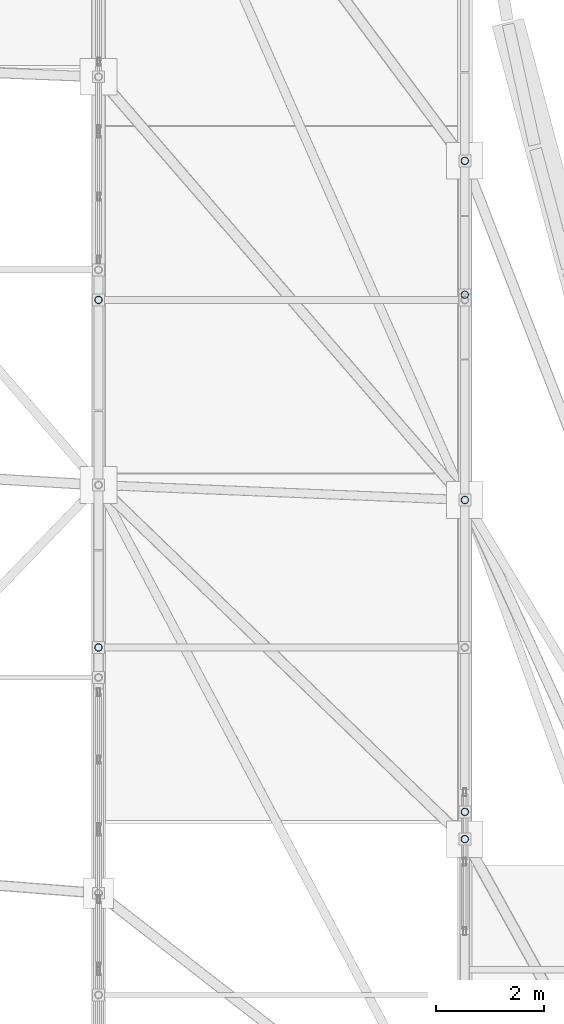
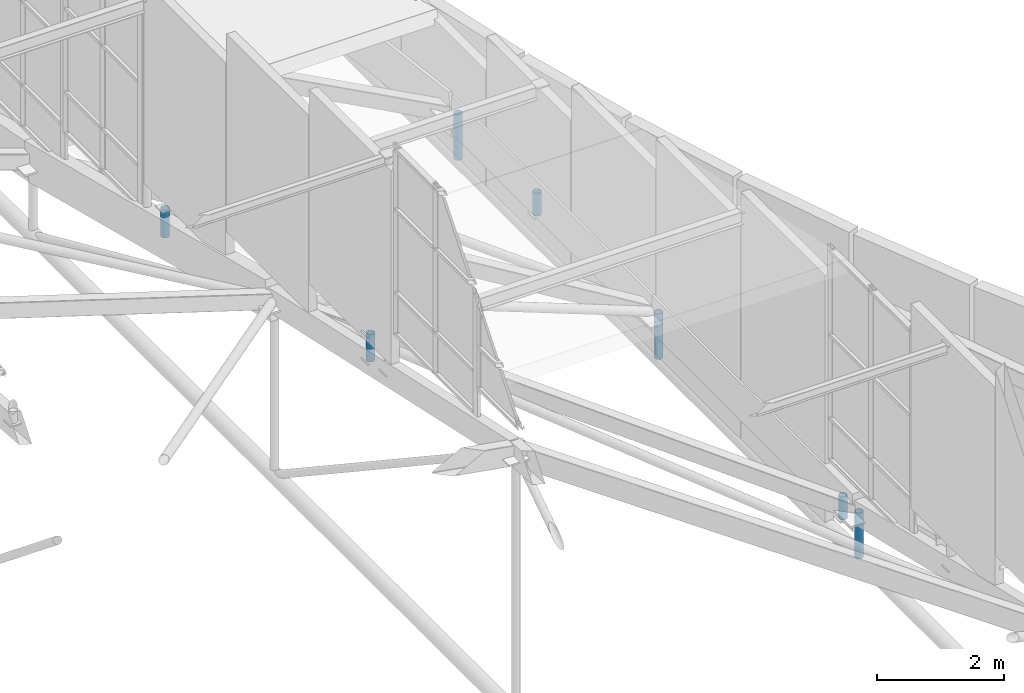
# One storey, part 136 of 188: 7 members.
"""IFC4 building model written with IfcOpenShell, lengths in metres."""

from ifc_helpers import new_model, si_unit, direction, frame, origin, origin_2d, place, context, subcontext, project, spatial, hollow_circle, extrude, material, material_profile, profile_set, type_object, element, save


model = new_model("IFC4")

# Units and contexts
model_context = context("Model", 3, precision=1e-05, world=origin(), true_north=direction((0.0, 1.0)))
body_context = subcontext(model_context, "Body", "Model", "MODEL_VIEW")
ifc_project = project(units=[si_unit("LENGTHUNIT", "METRE"), si_unit("AREAUNIT", "SQUARE_METRE"), si_unit("VOLUMEUNIT", "CUBIC_METRE"), si_unit("PLANEANGLEUNIT", "RADIAN"), si_unit("MASSUNIT", "GRAM", prefix="KILO")], contexts=[model_context])

# Site, building, storey
site_placement = place(None, origin())
site = spatial("IfcSite", under=ifc_project, at=site_placement, CompositionType="ELEMENT")
building_placement = place(site_placement, origin())
building = spatial("IfcBuilding", under=site, at=building_placement, Name="Kisaragi Civic Commons", CompositionType="ELEMENT")
storey_placement = place(building_placement, frame((0.0, 0.0, 9.60009765625)))
storey = spatial("IfcBuildingStorey", under=building, at=storey_placement, Name="L02", CompositionType="ELEMENT", Elevation=9.60009765625)

# Members
ifc_material = material(Name="Steel SN490 (SN490B)", Category="steel")
ifc_material_profile = material_profile(ifc_material, hollow_circle(Radius=0.06982421875, WallThickness=0.006103515625, at=origin_2d()), Name="CHS-139.8x6.0", Category="steel")
ifc_profile_set = profile_set([ifc_material_profile], Name="Steel SN490 (SN490B)")
member_type = type_object("IfcMemberType", Name="ST-H1", PredefinedType="STRUT", material=ifc_profile_set)
for number, where, z_axis, x_axis, name in (
    (1, (27.199951171875, 33.09521484375, -0.458984375), (0.0, 0.0, 1.0), (1.0, 0.0, 0.0), "V1 arch tie hanger strut 60"),
    (2, (27.199951171875, 39.389892578125, -0.458984375), (0.0, 0.0, 1.0), (1.0, 0.0, 0.0), "V1 arch tie hanger strut 61"),
    (3, (27.199951171875, 45.684326171875, -0.458984375), (0.0, 0.0, 1.0), (1.0, 0.0, 0.0), "V1 arch tie hanger strut 62"),
):
    element("IfcMember", number, at=place(storey_placement, frame(where, z_axis=z_axis, x_axis=x_axis)), inside=storey, type_object=member_type, Name=name, PredefinedType="STRUT", context=body_context, shape_type="SweptSolid", body=[
        extrude(hollow_circle(Radius=0.06982421875, WallThickness=0.006103515625, at=origin_2d()), origin(), (0.0, 0.0, 1.0), 0.874755859375),
    ])
for number, where, z_axis, x_axis, name in (
    (4, (27.199951171875, 33.60009765625, -0.02001953125), (0.0, 0.0, 1.0), (1.0, 0.0, 0.0), "V1 interior column arch support post (27.2,33.6)"),
    (5, (27.199951171875, 43.199951171875, -0.02001953125), (0.0, 0.0, 1.0), (1.0, 0.0, 0.0), "V1 interior column arch support post (27.2,43.2)"),
):
    element("IfcMember", number, at=place(storey_placement, frame(where, z_axis=z_axis, x_axis=x_axis)), inside=storey, type_object=member_type, Name=name, PredefinedType="STRUT", context=body_context, shape_type="SweptSolid", body=[
        extrude(hollow_circle(Radius=0.06982421875, WallThickness=0.006103515625, at=origin_2d()), origin(), (0.0, 0.0, 1.0), 0.435791015625),
    ])
member_1_placement = place(storey_placement, frame((20.39990234375, 36.653076171875, 3.533203125), z_axis=(0.0, 0.0, 1.0), x_axis=(1.0, 0.0, 0.0)))
element("IfcMember", 6, at=member_1_placement, inside=storey, type_object=member_type, Name="V1 clerestory monitor horizontal tie strut 4.3.6", PredefinedType="STRUT", context=body_context, shape_type="SweptSolid", body=[
    extrude(hollow_circle(Radius=0.06982421875, WallThickness=0.006103515625, at=origin_2d()), origin(), (0.0, 0.0, 1.0), 0.52392578125),
])
member_2_placement = place(storey_placement, frame((20.39990234375, 43.103515625, 2.003173828125), z_axis=(0.0, 0.0, 1.0), x_axis=(1.0, 0.0, 0.0)))
element("IfcMember", 7, at=member_2_placement, inside=storey, type_object=member_type, Name="V1 clerestory monitor horizontal tie strut 4.3.7", PredefinedType="STRUT", context=body_context, shape_type="SweptSolid", body=[
    extrude(hollow_circle(Radius=0.06982421875, WallThickness=0.006103515625, at=origin_2d()), origin(), (0.0, 0.0, 1.0), 0.531494140625),
])

save(model, "model.ifc")
